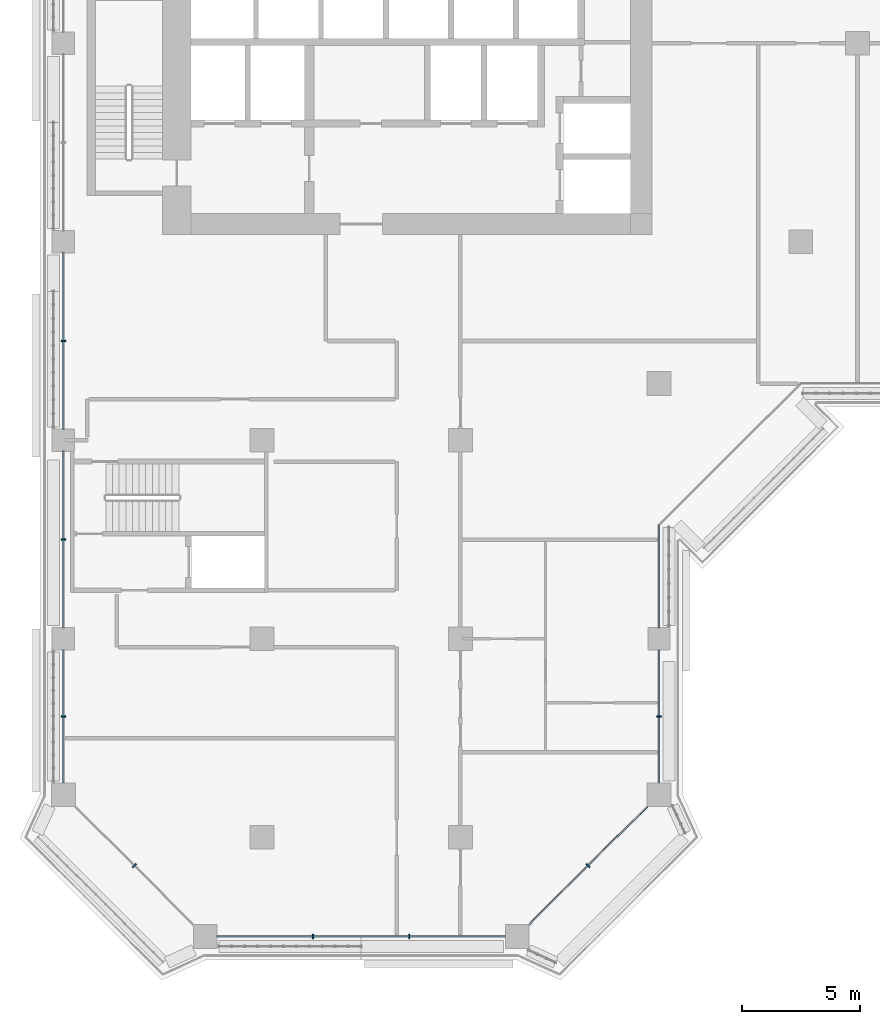
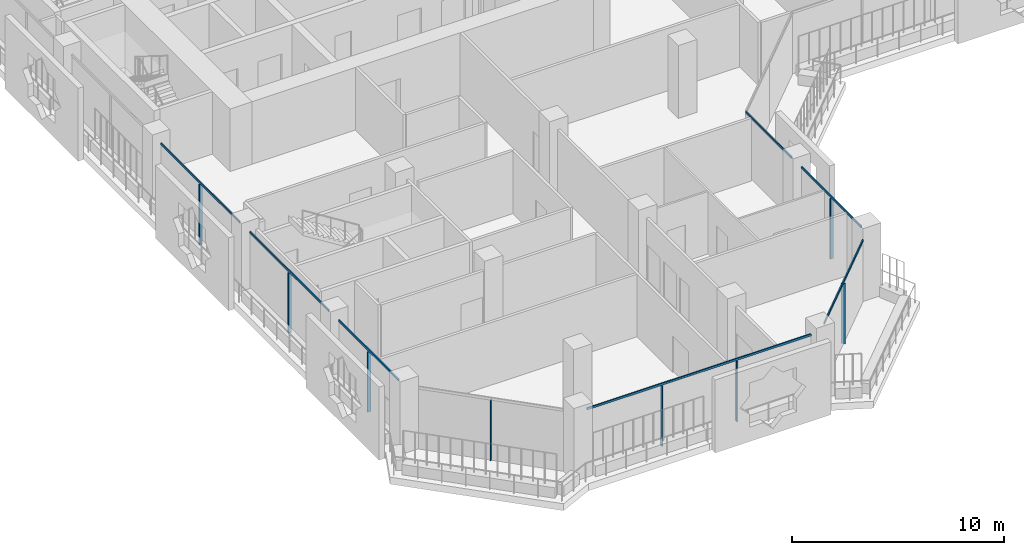
# One storey, part 2 of 22: 15 members, 5 elements without a shape of their own.
"""IFC4 building model written with IfcOpenShell, lengths in metres."""

from ifc_helpers import new_model, si_unit, direction, frame, origin, origin_2d, place, context, subcontext, project, spatial, rectangle, extrude, material, layer, layer_set, material_profile, profile_set, type_object, element, aggregate, save


model = new_model("IFC4")

# Units and contexts
model_context = context("Model", 3, precision=1e-05, world=origin(), true_north=direction((0.0, 1.0)))
body_context = subcontext(model_context, "Body", "Model", "MODEL_VIEW")
ifc_project = project(units=[si_unit("LENGTHUNIT", "METRE"), si_unit("AREAUNIT", "SQUARE_METRE"), si_unit("VOLUMEUNIT", "CUBIC_METRE"), si_unit("PLANEANGLEUNIT", "RADIAN"), si_unit("MASSUNIT", "GRAM", prefix="KILO")], contexts=[model_context])

# Site, building, storey
site_placement = place(None, origin())
site = spatial("IfcSite", under=ifc_project, at=site_placement, CompositionType="ELEMENT")
building_placement = place(site_placement, origin())
building = spatial("IfcBuilding", under=site, at=building_placement, Name="Kawkab Arch Medical Tower", CompositionType="ELEMENT")
storey_placement = place(building_placement, frame((0.0, 0.0, 183.60009765625)))
storey = spatial("IfcBuildingStorey", under=building, at=storey_placement, Name="L42", CompositionType="ELEMENT", Elevation=183.60009765625)

# Curtain wall, members
ifc_material_1 = material(Name="Bronze anodised aluminium curtain wall frame", Category="aluminium")
ifc_layer_1 = layer(ifc_material_1, 0.159912109375)
ifc_layer_set_1 = layer_set([ifc_layer_1], Name="Bronze anodised aluminium curtain wall frame")
curtain_wall_type_1 = type_object("IfcCurtainWallType", Name="CW1 ward curtain wall", PredefinedType="NOTDEFINED", material=ifc_layer_set_1)
placement = place(storey_placement, origin())
curtain_wall_1 = element("IfcCurtainWall", 1, at=placement, inside=storey, type_object=curtain_wall_type_1, Name="CW1 Ward curtain wall R01", PredefinedType="NOTDEFINED")
ifc_material_2 = material(Name="Bronze anodised aluminium curtain wall frame", Category="aluminium")
ifc_material_profile_1 = material_profile(ifc_material_2, rectangle(XDim=0.179931640625, YDim=0.06005859375, at=origin_2d()), Name="AL 60x180")
ifc_profile_set_1 = profile_set([ifc_material_profile_1], Name="Bronze anodised aluminium curtain wall frame")
member_type_1 = type_object("IfcMemberType", Name="CW1 mullion 60 x 180", PredefinedType="MULLION", material=ifc_profile_set_1)
member_1_placement = place(storey_placement, frame((0.0, -29.39990234375, 0.0), z_axis=(0.0, 0.0, 1.0), x_axis=(1.0, 0.0, 0.0)))
member_1 = element("IfcMember", 2, at=member_1_placement, type_object=member_type_1, Name="CW1 mullion 3.1", PredefinedType="MULLION", context=body_context, shape_type="SweptSolid", body=[
    extrude(rectangle(XDim=0.179931640625, YDim=0.06005859375, at=origin_2d()), origin(), (0.0, 0.0, 1.0), 3.47998046875),
])
member_2_placement = place(storey_placement, frame((0.0, -37.800048828125, 0.0), z_axis=(0.0, 0.0, 1.0), x_axis=(1.0, 0.0, 0.0)))
member_2 = element("IfcMember", 3, at=member_2_placement, type_object=member_type_1, Name="CW1 mullion 4.1", PredefinedType="MULLION", context=body_context, shape_type="SweptSolid", body=[
    extrude(rectangle(XDim=0.179931640625, YDim=0.06005859375, at=origin_2d()), origin(), (0.0, 0.0, 1.0), 3.47998046875),
])
member_3_placement = place(storey_placement, frame((0.0, -45.28759765625, 0.0), z_axis=(0.0, 0.0, 1.0), x_axis=(1.0, 0.0, 0.0)))
member_3 = element("IfcMember", 4, at=member_3_placement, type_object=member_type_1, Name="CW1 mullion 5.1", PredefinedType="MULLION", context=body_context, shape_type="SweptSolid", body=[
    extrude(rectangle(XDim=0.179931640625, YDim=0.06005859375, at=origin_2d()), origin(), (0.0, 0.0, 1.0), 3.47998046875),
])

curtain_wall_2 = element("IfcCurtainWall", 5, at=placement, inside=storey, type_object=curtain_wall_type_1, Name="CW1 Ward curtain wall R03", PredefinedType="NOTDEFINED")
member_4_placement = place(storey_placement, frame((10.566650390625, -54.60009765625, 0.0), z_axis=(0.0, 0.0, 1.0), x_axis=(0.0, 1.0, 0.0)))
member_4 = element("IfcMember", 6, at=member_4_placement, type_object=member_type_1, Name="CW1 mullion 1.1", PredefinedType="MULLION", context=body_context, shape_type="SweptSolid", body=[
    extrude(rectangle(XDim=0.179931640625, YDim=0.06005859375, at=origin_2d()), origin(), (0.0, 0.0, 1.0), 3.47998046875),
])
member_5_placement = place(storey_placement, frame((14.63330078125, -54.60009765625, 0.0), z_axis=(0.0, 0.0, 1.0), x_axis=(0.0, 1.0, 0.0)))
member_5 = element("IfcMember", 7, at=member_5_placement, type_object=member_type_1, Name="CW1 mullion 1.2", PredefinedType="MULLION", context=body_context, shape_type="SweptSolid", body=[
    extrude(rectangle(XDim=0.179931640625, YDim=0.06005859375, at=origin_2d()), origin(), (0.0, 0.0, 1.0), 3.47998046875),
])

# Curtain wall, member
curtain_wall_3 = element("IfcCurtainWall", 8, at=placement, inside=storey, type_object=curtain_wall_type_1, Name="CW1 Ward curtain wall R05", PredefinedType="NOTDEFINED")
member_6_placement = place(storey_placement, frame((25.199951171875, -45.28759765625, 0.0), z_axis=(0.0, 0.0, 1.0), x_axis=(-1.0, 0.0, 0.0)))
member_6 = element("IfcMember", 9, at=member_6_placement, type_object=member_type_1, Name="CW1 mullion 1.1", PredefinedType="MULLION", context=body_context, shape_type="SweptSolid", body=[
    extrude(rectangle(XDim=0.179931640625, YDim=0.06005859375, at=origin_2d()), origin(), (0.0, 0.0, 1.0), 3.47998046875),
])

# Member
ifc_material_3 = material(Name="Bronze anodised aluminium curtain wall frame", Category="aluminium")
ifc_material_profile_2 = material_profile(ifc_material_3, rectangle(XDim=0.06005859375, YDim=0.1201171875, at=origin_2d()), Name="AL 60x120")
ifc_profile_set_2 = profile_set([ifc_material_profile_2], Name="Bronze anodised aluminium curtain wall frame")
member_type_2 = type_object("IfcMemberType", Name="CW1 transom 120 x 60", PredefinedType="USERDEFINED", material=ifc_profile_set_2)
member_7_placement = place(storey_placement, frame((0.0, -25.675048828125, 3.539794921875), z_axis=(0.0, -1.0, 0.0), x_axis=(1.0, 0.0, 0.0)))
member_7 = element("IfcMember", 10, at=member_7_placement, type_object=member_type_2, Name="CW1 transom 3", ObjectType="TRANSOM", PredefinedType="USERDEFINED", context=body_context, shape_type="SweptSolid", body=[
    extrude(rectangle(XDim=0.06005859375, YDim=0.1201171875, at=origin_2d()), origin(), (0.0, 0.0, 1.0), 7.449951171875),
])

member_8_placement = place(storey_placement, frame((0.0, -34.074951171875, 3.539794921875), z_axis=(0.0, -1.0, 0.0), x_axis=(1.0, 0.0, 0.0)))
member_8 = element("IfcMember", 11, at=member_8_placement, type_object=member_type_2, Name="CW1 transom 4", ObjectType="TRANSOM", PredefinedType="USERDEFINED", context=body_context, shape_type="SweptSolid", body=[
    extrude(rectangle(XDim=0.06005859375, YDim=0.1201171875, at=origin_2d()), origin(), (0.0, 0.0, 1.0), 7.449951171875),
])

member_9_placement = place(storey_placement, frame((0.0, -42.47509765625, 3.539794921875), z_axis=(0.0, -1.0, 0.0), x_axis=(1.0, 0.0, 0.0)))
member_9 = element("IfcMember", 12, at=member_9_placement, type_object=member_type_2, Name="CW1 transom 5", ObjectType="TRANSOM", PredefinedType="USERDEFINED", context=body_context, shape_type="SweptSolid", body=[
    extrude(rectangle(XDim=0.06005859375, YDim=0.1201171875, at=origin_2d()), origin(), (0.0, 0.0, 1.0), 5.625),
])

aggregate(curtain_wall_1, [member_7, member_1, member_8, member_2, member_9, member_3])

member_10_placement = place(storey_placement, frame((6.5, -54.60009765625, 3.539794921875), z_axis=(1.0, 0.0, 0.0), x_axis=(0.0, 1.0, 0.0)))
member_10 = element("IfcMember", 13, at=member_10_placement, type_object=member_type_2, Name="CW1 transom 1", ObjectType="TRANSOM", PredefinedType="USERDEFINED", context=body_context, shape_type="SweptSolid", body=[
    extrude(rectangle(XDim=0.06005859375, YDim=0.1201171875, at=origin_2d()), origin(), (0.0, 0.0, 1.0), 12.199951171875),
])

aggregate(curtain_wall_2, [member_10, member_4, member_5])

member_11_placement = place(storey_placement, frame((25.199951171875, -48.10009765625, 3.539794921875), z_axis=(0.0, 1.0, 0.0), x_axis=(-1.0, 0.0, 0.0)))
member_11 = element("IfcMember", 14, at=member_11_placement, type_object=member_type_2, Name="CW1 transom 1", ObjectType="TRANSOM", PredefinedType="USERDEFINED", context=body_context, shape_type="SweptSolid", body=[
    extrude(rectangle(XDim=0.06005859375, YDim=0.1201171875, at=origin_2d()), origin(), (0.0, 0.0, 1.0), 5.625),
])

member_12_placement = place(storey_placement, frame((25.199951171875, -41.52490234375, 3.539794921875), z_axis=(0.0, 1.0, 0.0), x_axis=(-1.0, 0.0, 0.0)))
member_12 = element("IfcMember", 15, at=member_12_placement, type_object=member_type_2, Name="CW1 transom 2", ObjectType="TRANSOM", PredefinedType="USERDEFINED", context=body_context, shape_type="SweptSolid", body=[
    extrude(rectangle(XDim=0.06005859375, YDim=0.1201171875, at=origin_2d()), origin(), (0.0, 0.0, 1.0), 4.324951171875),
])

aggregate(curtain_wall_3, [member_11, member_6, member_12])

# Curtain wall, member
ifc_material_4 = material(Name="Bronze anodised aluminium curtain wall frame", Category="aluminium")
ifc_layer_2 = layer(ifc_material_4, 0.159912109375)
ifc_layer_set_2 = layer_set([ifc_layer_2], Name="Bronze anodised aluminium curtain wall frame")
curtain_wall_type_2 = type_object("IfcCurtainWallType", Name="CW2 chamfer curtain wall", PredefinedType="NOTDEFINED", material=ifc_layer_set_2)
curtain_wall_4 = element("IfcCurtainWall", 16, at=placement, inside=storey, type_object=curtain_wall_type_2, Name="CW2 Chamfer curtain wall R02", PredefinedType="NOTDEFINED")
ifc_material_5 = material(Name="Bronze anodised aluminium curtain wall frame", Category="aluminium")
ifc_material_profile_3 = material_profile(ifc_material_5, rectangle(XDim=0.199951171875, YDim=0.06005859375, at=origin_2d()), Name="AL 60x200")
ifc_profile_set_3 = profile_set([ifc_material_profile_3], Name="Bronze anodised aluminium curtain wall frame")
member_type_3 = type_object("IfcMemberType", Name="CW2 mullion 60 x 200", PredefinedType="MULLION", material=ifc_profile_set_3)
member_13_placement = place(storey_placement, frame((3.0, -51.60009765625, 0.0), z_axis=(0.0, 0.0, 1.0), x_axis=(0.707106781187, 0.707106781187, 0.0)))
member_13 = element("IfcMember", 17, at=member_13_placement, type_object=member_type_3, Name="CW2 mullion 1.1", PredefinedType="MULLION", context=body_context, shape_type="SweptSolid", body=[
    extrude(rectangle(XDim=0.199951171875, YDim=0.06005859375, at=origin_2d()), origin(), (0.0, 0.0, 1.0), 3.4599609375),
])
aggregate(curtain_wall_4, [member_13])

# Curtain wall, members
curtain_wall_5 = element("IfcCurtainWall", 18, at=placement, inside=storey, type_object=curtain_wall_type_2, Name="CW2 Chamfer curtain wall R04", PredefinedType="NOTDEFINED")
member_14_placement = place(storey_placement, frame((22.199951171875, -51.60009765625, 0.0), z_axis=(0.0, 0.0, 1.0), x_axis=(-0.707106781187, 0.707106781187, 0.0)))
member_14 = element("IfcMember", 19, at=member_14_placement, type_object=member_type_3, Name="CW2 mullion 1.1", PredefinedType="MULLION", context=body_context, shape_type="SweptSolid", body=[
    extrude(rectangle(XDim=0.199951171875, YDim=0.06005859375, at=origin_2d()), origin(), (0.0, 0.0, 1.0), 3.4599609375),
])
ifc_material_6 = material(Name="Bronze anodised aluminium curtain wall frame", Category="aluminium")
ifc_material_profile_4 = material_profile(ifc_material_6, rectangle(XDim=0.06005859375, YDim=0.139892578125, at=origin_2d()), Name="AL 60x140")
ifc_profile_set_4 = profile_set([ifc_material_profile_4], Name="Bronze anodised aluminium curtain wall frame")
member_type_4 = type_object("IfcMemberType", Name="CW2 transom 140 x 60", PredefinedType="USERDEFINED", material=ifc_profile_set_4)
member_15_placement = place(storey_placement, frame((19.699951171875, -54.10009765625, 3.52978515625), z_axis=(0.707106781187, 0.707106781187, 0.0), x_axis=(-0.707106781187, 0.707106781187, 0.0)))
member_15 = element("IfcMember", 20, at=member_15_placement, type_object=member_type_4, Name="CW2 transom 1", ObjectType="TRANSOM", PredefinedType="USERDEFINED", context=body_context, shape_type="SweptSolid", body=[
    extrude(rectangle(XDim=0.06005859375, YDim=0.139892578125, at=origin_2d()), origin(), (0.0, 0.0, 1.0), 7.071044921875),
])
aggregate(curtain_wall_5, [member_15, member_14])

save(model, "model.ifc")
